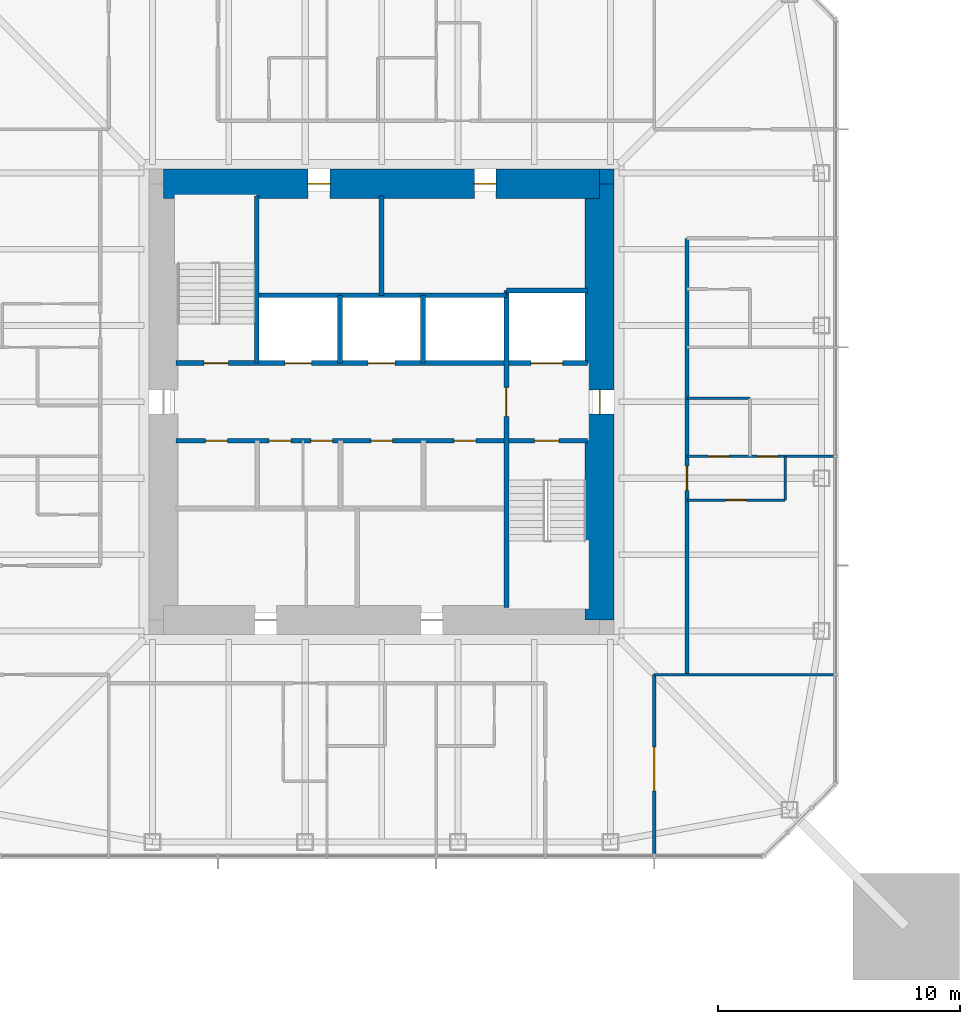
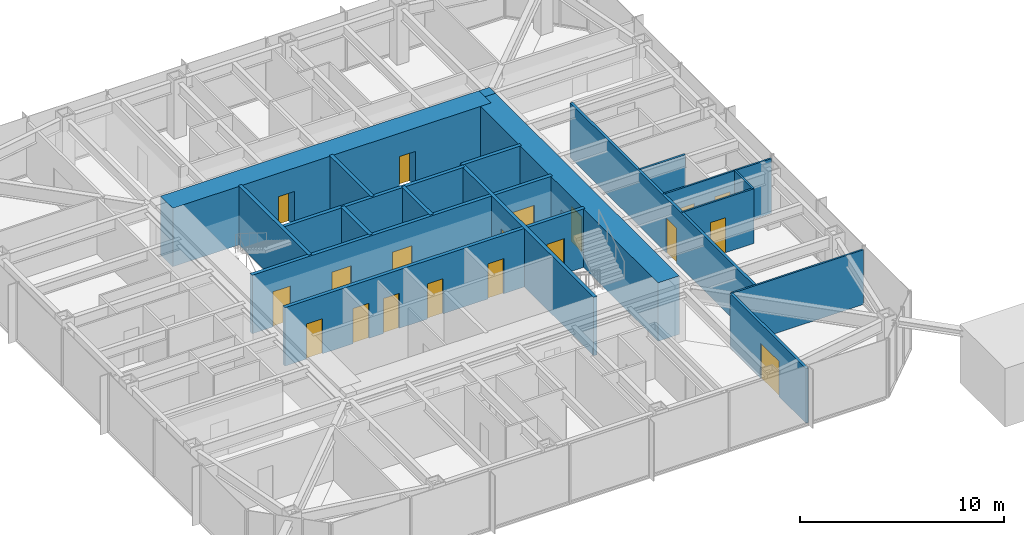
# One storey, part 7 of 11: 19 doors, 19 walls, 19 openings.
"""IFC4 building model written with IfcOpenShell, lengths in metres."""

import ifcopenshell
import ifcopenshell.guid

model = None  # the IFC model being written
_history = None  # IfcOwnerHistory: only IFC2X3 demands one
_inside = {}  # id of a spatial element -> (the spatial element, [elements in it])
_under = {}  # id of a project, library or spatial element -> (it, [spatial elements below it])
_declared = {}  # id of a project -> (the project, [libraries it declares])
_typed = {}  # id of a type object -> (the type object, [elements of that type])
_made_of = {}  # id of a material, layer set ... -> (it, [elements and type objects made of it])


def new_model(schema):
    """Start an empty IFC model of exactly this schema.

    Asked for "IFC4X3", IfcOpenShell would pick the latest addendum, in which some entities
    have other attributes; the version numbers below select the first issue.
    IFC2X3 requires an IfcOwnerHistory on every rooted entity: one is made here for all.
    """
    global model, _history
    if schema == "IFC4X3":
        model = ifcopenshell.file(schema_version=(4, 3, 0, 0))
    else:
        model = ifcopenshell.file(schema=schema)
    _inside.clear()
    _under.clear()
    _declared.clear()
    _typed.clear()
    _made_of.clear()
    _history = None
    if model.schema == "IFC2X3":
        org = make("IfcOrganization", Name="unknown")
        user = make(
            "IfcPersonAndOrganization",
            ThePerson=make("IfcPerson", FamilyName="unknown"),
            TheOrganization=org,
        )
        app = make(
            "IfcApplication",
            ApplicationDeveloper=org,
            Version="unknown",
            ApplicationFullName="unknown",
            ApplicationIdentifier="unknown",
        )
        _history = make(
            "IfcOwnerHistory",
            OwningUser=user,
            OwningApplication=app,
            ChangeAction="ADDED",
            CreationDate=0,
        )
    return model


def make(cls, **values):
    """One entity of the class cls with the attributes given. An attribute that is None is left unset."""
    return model.create_entity(
        cls, **{name: value for name, value in values.items() if value is not None}
    )


def rooted(cls, **values):
    """An entity with a GlobalId (a new one), such as an element, a storey or a relation."""
    return make(cls, GlobalId=ifcopenshell.guid.new(), OwnerHistory=_history, **values)


def si_unit(unit_type, name, prefix=None):
    """IfcSIUnit, for example si_unit("LENGTHUNIT", "METRE", prefix="MILLI")."""
    return make("IfcSIUnit", UnitType=unit_type, Prefix=prefix, Name=name)


def assignment(units):
    """IfcUnitAssignment: the units of a project."""
    return None if units is None else make("IfcUnitAssignment", Units=units)


def point(xyz):
    """IfcCartesianPoint."""
    return None if xyz is None else make("IfcCartesianPoint", Coordinates=xyz)


def direction(xyz):
    """IfcDirection."""
    return None if xyz is None else make("IfcDirection", DirectionRatios=xyz)


def frame(location, z_axis=None, x_axis=None):
    """IfcAxis2Placement3D, a coordinate frame: its origin and axes. An axis left out is left unset."""
    return make(
        "IfcAxis2Placement3D",
        Location=point(location),
        Axis=direction(z_axis),
        RefDirection=direction(x_axis),
    )


def frame_2d(location, x_axis=None):
    """IfcAxis2Placement2D, a coordinate frame in the plane: its origin and x axis."""
    return make(
        "IfcAxis2Placement2D", Location=point(location), RefDirection=direction(x_axis)
    )


def origin():
    """The frame at (0, 0, 0) with its axes left unset."""
    return frame((0.0, 0.0, 0.0))


def place(relative_to, where):
    """IfcLocalPlacement: puts the frame where relative to a parent placement (None: the world)."""
    return make(
        "IfcLocalPlacement", PlacementRelTo=relative_to, RelativePlacement=where
    )


def context(
    kind, dimensions, precision=None, world=None, true_north=None, identifier=None
):
    """IfcGeometricRepresentationContext, for example the 3D "Model" context."""
    return make(
        "IfcGeometricRepresentationContext",
        ContextIdentifier=identifier,
        ContextType=kind,
        CoordinateSpaceDimension=dimensions,
        Precision=precision,
        WorldCoordinateSystem=world,
        TrueNorth=true_north,
    )


def subcontext(parent, identifier, kind, view, scale=None):
    """IfcGeometricRepresentationSubContext, for example "Body" below "Model"."""
    return make(
        "IfcGeometricRepresentationSubContext",
        ContextIdentifier=identifier,
        ContextType=kind,
        ParentContext=parent,
        TargetScale=scale,
        TargetView=view,
    )


def project(units=None, contexts=None):
    """IfcProject with its units and contexts."""
    return rooted(
        "IfcProject",
        Name="project",
        RepresentationContexts=contexts,
        UnitsInContext=assignment(units),
    )


def spatial(cls, under=None, at=None, **own):
    """A site, building, storey or space (cls), placed at a placement, below another one or the project."""
    s = rooted(cls, ObjectPlacement=at, **own)
    if under is not None:
        _under.setdefault(under.id(), (under, []))[1].append(s)
    return s


def profile(cls, at=None, kind="AREA", **sizes):
    """A parametric profile (cls). Its sizes go by their IFC names, for example OverallWidth=200.0."""
    return make(cls, ProfileType=kind, Position=at, **sizes)


def rectangle(**sizes):
    """IfcRectangleProfileDef."""
    return profile("IfcRectangleProfileDef", **sizes)


def extrude(swept, where, along, depth):
    """IfcExtrudedAreaSolid: the profile swept, set in the frame where, extruded along a direction by depth."""
    return make(
        "IfcExtrudedAreaSolid",
        SweptArea=swept,
        Position=where,
        ExtrudedDirection=direction(along),
        Depth=depth,
    )


def shape(context_of_items, identifier, shape_type, items):
    """IfcShapeRepresentation: the items that make up one representation, for example the "Body"."""
    return make(
        "IfcShapeRepresentation",
        ContextOfItems=context_of_items,
        RepresentationIdentifier=identifier,
        RepresentationType=shape_type,
        Items=items,
    )


def material(Name=None, Category=None):
    """IfcMaterial."""
    return make("IfcMaterial", Name=Name, Category=Category)


def layer(
    of_material, thickness, ventilated=None, Name=None, Category=None, Priority=None
):
    """IfcMaterialLayer: one layer of a wall or slab, of a material (None: an air gap)."""
    return make(
        "IfcMaterialLayer",
        Material=of_material,
        LayerThickness=thickness,
        IsVentilated=ventilated,
        Name=Name,
        Category=Category,
        Priority=Priority,
    )


def layer_set(layers, Name=None):
    """IfcMaterialLayerSet."""
    return make("IfcMaterialLayerSet", MaterialLayers=layers, LayerSetName=Name)


def made_of(thing, what):
    """Note that an element or type object is made of a material, layer set ...; save() writes the relation."""
    if what is not None:
        _made_of.setdefault(what.id(), (what, []))[1].append(thing)
    return thing


def type_object(cls, material=None, **own):
    """A type object (cls), such as IfcWallType, which elements share."""
    return made_of(rooted(cls, **own), material)


def element(
    cls,
    number,
    at=None,
    inside=None,
    cuts=None,
    type_object=None,
    material=None,
    context=None,
    identifier="Body",
    shape_type=None,
    held_by="IfcProductDefinitionShape",
    body=None,
    shapes=None,
    **own,
):
    """One element of the class cls, such as IfcWall. Its Tag is "e" and its number.

    at: its placement. inside: the storey or other place that contains it. cuts: it is an
    opening in that element (IfcRelVoidsElement). A single representation is given by context,
    identifier, shape_type and body (its items); several are given by shapes. held_by: the class
    of the entity that holds the representations. save() writes the other relations.
    """
    e = rooted(cls, Tag="e%d" % number, ObjectPlacement=at, **own)
    if body is not None:
        shapes = [shape(context, identifier, shape_type, body)]
    if shapes is not None:
        e.Representation = make(held_by, Representations=shapes)
    if inside is not None:
        _inside.setdefault(inside.id(), (inside, []))[1].append(e)
    if cuts is not None:
        rooted(
            "IfcRelVoidsElement", RelatingBuildingElement=cuts, RelatedOpeningElement=e
        )
    if type_object is not None:
        _typed.setdefault(type_object.id(), (type_object, []))[1].append(e)
    return made_of(e, material)


def fill(opening, filler):
    """IfcRelFillsElement: the door or window that sits in an opening."""
    return rooted(
        "IfcRelFillsElement",
        RelatingOpeningElement=opening,
        RelatedBuildingElement=filler,
    )


def aggregate(whole, parts):
    """IfcRelAggregates: a whole, such as a stair, and the parts it consists of."""
    return rooted("IfcRelAggregates", RelatingObject=whole, RelatedObjects=parts)


def save(model, path):
    """Write the relations noted so far, then the file.

    IfcRelAggregates (storeys below a building ...), IfcRelContainedInSpatialStructure (elements
    in a storey), IfcRelDefinesByType, IfcRelAssociatesMaterial and IfcRelDeclares: one each for
    every whole, place, type object, material and project.
    """
    for whole, parts in _under.values():
        aggregate(whole, parts)
    for where, things in _inside.values():
        rooted(
            "IfcRelContainedInSpatialStructure",
            RelatedElements=things,
            RelatingStructure=where,
        )
    for kind, things in _typed.values():
        rooted("IfcRelDefinesByType", RelatedObjects=things, RelatingType=kind)
    for what, things in _made_of.values():
        rooted("IfcRelAssociatesMaterial", RelatedObjects=things, RelatingMaterial=what)
    for by, libraries in _declared.values():
        rooted("IfcRelDeclares", RelatingContext=by, RelatedDefinitions=libraries)
    model.write(path)


model = new_model("IFC4")

# Units and contexts
model_context = context("Model", 3, precision=1e-05, world=origin(), true_north=direction((0.0, 1.0)))
body_context = subcontext(model_context, "Body", "Model", "MODEL_VIEW")
ifc_project = project(units=[si_unit("LENGTHUNIT", "METRE"), si_unit("AREAUNIT", "SQUARE_METRE"), si_unit("VOLUMEUNIT", "CUBIC_METRE"), si_unit("PLANEANGLEUNIT", "RADIAN"), si_unit("MASSUNIT", "GRAM", prefix="KILO")], contexts=[model_context])

# Site, building, storey
site_placement = place(None, origin())
site = spatial("IfcSite", under=ifc_project, at=site_placement, CompositionType="ELEMENT")
building_placement = place(site_placement, origin())
building = spatial("IfcBuilding", under=site, at=building_placement, Name="Iwan Alto Co-Living Towers", CompositionType="ELEMENT")
storey_placement = place(building_placement, frame((0.0, 0.0, 163.5)))
storey = spatial("IfcBuildingStorey", under=building, at=storey_placement, Name="L44", CompositionType="ELEMENT", Elevation=163.5)

# Wall, opening, door
ifc_material_1 = material(Name="Gypsum board")
ifc_layer_1 = layer(ifc_material_1, 0.02490234375, Name="Board", Category="Finish")
ifc_material_2 = material(Name="Steel ASTM A1003 ST33H cold-formed studs", Category="steel")
ifc_layer_2 = layer(ifc_material_2, 0.10009765625, Name="Studs", Category="Framing")
ifc_layer_3 = layer(ifc_material_1, 0.02490234375, Name="Board", Category="Finish")
ifc_layer_set_1 = layer_set([ifc_layer_1, ifc_layer_2, ifc_layer_3], Name="CORRIDOR WALL 150")
wall_type_1 = type_object("IfcWallType", Name="CORRIDOR WALL 150", PredefinedType="PARTITIONING", material=ifc_layer_set_1)
wall_1_placement = place(storey_placement, frame((12.60009765625, -11.25, 0.0), z_axis=(0.0, 0.0, 1.0), x_axis=(0.0, 1.0, 0.0)))
wall_1 = element("IfcWall", 1, at=wall_1_placement, inside=storey, type_object=wall_type_1, Name="Partition L44", PredefinedType="PARTITIONING", context=body_context, shape_type="SweptSolid", body=[
    extrude(rectangle(XDim=18.0, YDim=0.14990234375, at=frame_2d((9.0, 0.0))), origin(), (0.0, 0.0, 1.0), 3.27001953125),
])
opening_1_placement = place(wall_1_placement, frame((7.60009765625, 0.0, 0.0)))
opening_1 = element("IfcOpeningElement", 2, at=opening_1_placement, cuts=wall_1, Name="Opening D3", PredefinedType="OPENING", context=body_context, shape_type="SweptSolid", body=[
    extrude(rectangle(XDim=1.0, YDim=2.10009765625, at=frame_2d((0.5, 1.050048828125))), frame((0.0, 0.0849609375, 0.0), z_axis=(0.0, -1.0, 0.0), x_axis=(1.0, 0.0, 0.0)), (0.0, 0.0, 1.0), 0.169921875),
])
ifc_material_3 = material(Name="Steel frame with timber leaf", Category="steel")
door_type_1 = type_object("IfcDoorType", Name="FLAT ENTRANCE DOOR FD30S 1000X2100", OperationType="SINGLE_SWING_LEFT", PredefinedType="DOOR", material=ifc_material_3)
door_1_placement = place(opening_1_placement, frame((1.0, 0.0, 0.0), z_axis=(0.0, 0.0, 1.0), x_axis=(-1.0, 0.0, 0.0)))
door_1 = element("IfcDoor", 3, at=door_1_placement, inside=storey, type_object=door_type_1, Name="Apartment foyer door L44", OperationType="SINGLE_SWING_RIGHT", OverallHeight=2.10009765625, OverallWidth=1.0, PredefinedType="DOOR", context=body_context, shape_type="SweptSolid", body=[
    extrude(rectangle(XDim=1.0, YDim=2.10009765625, at=frame_2d((0.5, 1.050048828125))), frame((0.0, 0.02490234375, 0.0), z_axis=(0.0, -1.0, 0.0), x_axis=(1.0, 0.0, 0.0)), (0.0, 0.0, 1.0), 0.050048828125),
])
fill(opening_1, door_1)

wall_2_placement = place(storey_placement, frame((11.25, -18.68994140625, 0.0), z_axis=(0.0, 0.0, 1.0), x_axis=(0.0, 1.0, 0.0)))
wall_2 = element("IfcWall", 4, at=wall_2_placement, inside=storey, type_object=wall_type_1, Name="Partition L44", PredefinedType="PARTITIONING", context=body_context, shape_type="SweptSolid", body=[
    extrude(rectangle(XDim=7.43994140625, YDim=0.14990234375, at=frame_2d((3.719970703125, 0.0))), origin(), (0.0, 0.0, 1.0), 3.27001953125),
])
opening_2_placement = place(wall_2_placement, frame((2.64501953125, 0.0, 0.0)))
opening_2 = element("IfcOpeningElement", 5, at=opening_2_placement, cuts=wall_2, Name="Opening D9", PredefinedType="OPENING", context=body_context, shape_type="SweptSolid", body=[
    extrude(rectangle(XDim=1.800048828125, YDim=2.10009765625, at=frame_2d((0.89990234375, 1.050048828125))), frame((0.0, 0.0849609375, 0.0), z_axis=(0.0, -1.0, 0.0), x_axis=(1.0, 0.0, 0.0)), (0.0, 0.0, 1.0), 0.169921875),
])
ifc_material_4 = material(Name="Steel frame with timber leaf", Category="steel")
door_type_2 = type_object("IfcDoorType", Name="LOUNGE DOOR FD30S 1800X2100", OperationType="DOUBLE_DOOR_SINGLE_SWING", PredefinedType="DOOR", material=ifc_material_4)
door_2_placement = place(opening_2_placement, frame((1.800048828125, 0.0, 0.0), z_axis=(0.0, 0.0, 1.0), x_axis=(-1.0, 0.0, 0.0)))
door_2 = element("IfcDoor", 6, at=door_2_placement, inside=storey, type_object=door_type_2, Name="Courtyard lounge door L44", OperationType="DOUBLE_DOOR_SINGLE_SWING", OverallHeight=2.10009765625, OverallWidth=1.800048828125, PredefinedType="DOOR", context=body_context, shape_type="SweptSolid", body=[
    extrude(rectangle(XDim=1.800048828125, YDim=2.10009765625, at=frame_2d((0.89990234375, 1.050048828125))), frame((0.0, 0.02490234375, 0.0), z_axis=(0.0, -1.0, 0.0), x_axis=(1.0, 0.0, 0.0)), (0.0, 0.0, 1.0), 0.050048828125),
])
fill(opening_2, door_2)

# Wall
ifc_layer_4 = layer(ifc_material_1, 0.012451171875, Name="Board", Category="Finish")
ifc_layer_5 = layer(ifc_material_2, 0.074951171875, Name="Studs", Category="Framing")
ifc_layer_6 = layer(ifc_material_1, 0.012451171875, Name="Board", Category="Finish")
ifc_layer_set_2 = layer_set([ifc_layer_4, ifc_layer_5, ifc_layer_6], Name="PARTITION 100")
wall_type_2 = type_object("IfcWallType", Name="PARTITION 100", PredefinedType="PARTITIONING", material=ifc_layer_set_2)
wall_3_placement = place(storey_placement, frame((11.25, -11.25, 0.0), z_axis=(0.0, 0.0, 1.0), x_axis=(1.0, 0.0, 0.0)))
element("IfcWall", 7, at=wall_3_placement, inside=storey, type_object=wall_type_2, Name="Partition L44", PredefinedType="PARTITIONING", context=body_context, shape_type="SweptSolid", body=[
    extrude(rectangle(XDim=7.43994140625, YDim=0.10009765625, at=frame_2d((3.719970703125, 0.0))), origin(), (0.0, 0.0, 1.0), 3.27001953125),
])

# Wall, opening, door
wall_4_placement = place(storey_placement, frame((12.60009765625, -4.050048828125, 0.0), z_axis=(0.0, 0.0, 1.0), x_axis=(1.0, 0.0, 0.0)))
wall_4 = element("IfcWall", 8, at=wall_4_placement, inside=storey, type_object=wall_type_2, Name="Partition L44", PredefinedType="PARTITIONING", context=body_context, shape_type="SweptSolid", body=[
    extrude(rectangle(XDim=4.0498046875, YDim=0.10009765625, at=frame_2d((2.02490234375, 0.0))), origin(), (0.0, 0.0, 1.0), 3.27001953125),
])
opening_3_placement = place(wall_4_placement, frame((1.60009765625, 0.0, 0.0)))
opening_3 = element("IfcOpeningElement", 9, at=opening_3_placement, cuts=wall_4, Name="Opening D2", PredefinedType="OPENING", context=body_context, shape_type="SweptSolid", body=[
    extrude(rectangle(XDim=0.85009765625, YDim=2.10009765625, at=frame_2d((0.425048828125, 1.050048828125))), frame((0.0, 0.06005859375, 0.0), z_axis=(0.0, -1.0, 0.0), x_axis=(1.0, 0.0, 0.0)), (0.0, 0.0, 1.0), 0.1201171875),
])
ifc_material_5 = material(Name="Timber leaf in steel frame", Category="steel")
door_type_3 = type_object("IfcDoorType", Name="ROOM DOOR 850X2100", OperationType="SINGLE_SWING_LEFT", PredefinedType="DOOR", material=ifc_material_5)
door_3_placement = place(opening_3_placement, frame((0.85009765625, 0.0, 0.0), z_axis=(0.0, 0.0, 1.0), x_axis=(-1.0, 0.0, 0.0)))
door_3 = element("IfcDoor", 10, at=door_3_placement, inside=storey, type_object=door_type_3, Name="Apartment foyer door L44", OperationType="SINGLE_SWING_RIGHT", OverallHeight=2.10009765625, OverallWidth=0.85009765625, PredefinedType="DOOR", context=body_context, shape_type="SweptSolid", body=[
    extrude(rectangle(XDim=0.85009765625, YDim=2.10009765625, at=frame_2d((0.425048828125, 1.050048828125))), frame((0.0, 0.02490234375, 0.0), z_axis=(0.0, -1.0, 0.0), x_axis=(1.0, 0.0, 0.0)), (0.0, 0.0, 1.0), 0.050048828125),
])
fill(opening_3, door_3)

# Wall, openings, doors
wall_5_placement = place(storey_placement, frame((12.60009765625, -2.25, 0.0), z_axis=(0.0, 0.0, 1.0), x_axis=(1.0, 0.0, 0.0)))
wall_5 = element("IfcWall", 11, at=wall_5_placement, inside=storey, type_object=wall_type_2, Name="Partition L44", PredefinedType="PARTITIONING", context=body_context, shape_type="SweptSolid", body=[
    extrude(rectangle(XDim=6.08984375, YDim=0.10009765625, at=frame_2d((3.044921875, 0.0))), origin(), (0.0, 0.0, 1.0), 3.27001953125),
])
opening_4_placement = place(wall_5_placement, frame((2.89990234375, 0.0, 0.0)))
opening_4 = element("IfcOpeningElement", 12, at=opening_4_placement, cuts=wall_5, Name="Opening D2", PredefinedType="OPENING", context=body_context, shape_type="SweptSolid", body=[
    extrude(rectangle(XDim=0.85009765625, YDim=2.10009765625, at=frame_2d((0.425048828125, 1.050048828125))), frame((0.0, 0.06005859375, 0.0), z_axis=(0.0, -1.0, 0.0), x_axis=(1.0, 0.0, 0.0)), (0.0, 0.0, 1.0), 0.1201171875),
])
opening_5_placement = place(wall_5_placement, frame((0.875, 0.0, 0.0)))
opening_5 = element("IfcOpeningElement", 13, at=opening_5_placement, cuts=wall_5, Name="Opening D2", PredefinedType="OPENING", context=body_context, shape_type="SweptSolid", body=[
    extrude(rectangle(XDim=0.85009765625, YDim=2.10009765625, at=frame_2d((0.425048828125, 1.050048828125))), frame((0.0, 0.06005859375, 0.0), z_axis=(0.0, -1.0, 0.0), x_axis=(1.0, 0.0, 0.0)), (0.0, 0.0, 1.0), 0.1201171875),
])
door_4_placement = place(opening_4_placement, origin())
door_4 = element("IfcDoor", 14, at=door_4_placement, inside=storey, type_object=door_type_3, Name="Bedroom door L44", OperationType="SINGLE_SWING_LEFT", OverallHeight=2.10009765625, OverallWidth=0.85009765625, PredefinedType="DOOR", context=body_context, shape_type="SweptSolid", body=[
    extrude(rectangle(XDim=0.85009765625, YDim=2.10009765625, at=frame_2d((0.425048828125, 1.050048828125))), frame((0.0, 0.02490234375, 0.0), z_axis=(0.0, -1.0, 0.0), x_axis=(1.0, 0.0, 0.0)), (0.0, 0.0, 1.0), 0.050048828125),
])
fill(opening_4, door_4)
door_5_placement = place(opening_5_placement, origin())
door_5 = element("IfcDoor", 15, at=door_5_placement, inside=storey, type_object=door_type_3, Name="Bathroom door L44", OperationType="SINGLE_SWING_LEFT", OverallHeight=2.10009765625, OverallWidth=0.85009765625, PredefinedType="DOOR", context=body_context, shape_type="SweptSolid", body=[
    extrude(rectangle(XDim=0.85009765625, YDim=2.10009765625, at=frame_2d((0.425048828125, 1.050048828125))), frame((0.0, 0.02490234375, 0.0), z_axis=(0.0, -1.0, 0.0), x_axis=(1.0, 0.0, 0.0)), (0.0, 0.0, 1.0), 0.050048828125),
])
fill(opening_5, door_5)

# Wall
wall_6_placement = place(storey_placement, frame((16.64990234375, -4.050048828125, 0.0), z_axis=(0.0, 0.0, 1.0), x_axis=(0.0, 1.0, 0.0)))
element("IfcWall", 16, at=wall_6_placement, inside=storey, type_object=wall_type_2, Name="Partition L44", PredefinedType="PARTITIONING", context=body_context, shape_type="SweptSolid", body=[
    extrude(rectangle(XDim=1.800048828125, YDim=0.10009765625, at=frame_2d((0.89990234375, 0.0))), origin(), (0.0, 0.0, 1.0), 3.27001953125),
])

# Wall, openings, doors
ifc_material_6 = material(Name="Concrete f'c 70 MPa", Category="concrete")
ifc_layer_7 = layer(ifc_material_6, 0.199951171875)
ifc_layer_set_3 = layer_set([ifc_layer_7], Name="SHAFT WALL 200")
wall_type_3 = type_object("IfcWallType", Name="SHAFT WALL 200", PredefinedType="SOLIDWALL", material=ifc_layer_set_3)
wall_7_placement = place(storey_placement, frame((-8.489990234375, -1.60009765625, 0.0), z_axis=(0.0, 0.0, 1.0), x_axis=(1.0, 0.0, 0.0)))
wall_7 = element("IfcWall", 17, at=wall_7_placement, inside=storey, type_object=wall_type_3, Name="Shaft wall L44", PredefinedType="SOLIDWALL", context=body_context, shape_type="SweptSolid", body=[
    extrude(rectangle(XDim=16.97998046875, YDim=0.199951171875, at=frame_2d((8.489990234375, 0.0))), origin(), (0.0, 0.0, 1.0), 3.5),
])
opening_6_placement = place(wall_7_placement, frame((14.81005859375, 0.0, 0.0)))
opening_6 = element("IfcOpeningElement", 18, at=opening_6_placement, cuts=wall_7, Name="Opening D5", PredefinedType="OPENING", context=body_context, shape_type="SweptSolid", body=[
    extrude(rectangle(XDim=1.0, YDim=2.10009765625, at=frame_2d((0.5, 1.050048828125))), frame((0.0, 0.10986328125, 0.0), z_axis=(0.0, -1.0, 0.0), x_axis=(1.0, 0.0, 0.0)), (0.0, 0.0, 1.0), 0.219970703125),
])
opening_7_placement = place(wall_7_placement, frame((1.23193359375, 0.0, 0.0)))
opening_7 = element("IfcOpeningElement", 19, at=opening_7_placement, cuts=wall_7, Name="Opening D15", PredefinedType="OPENING", context=body_context, shape_type="SweptSolid", body=[
    extrude(rectangle(XDim=0.89990234375, YDim=2.10009765625, at=frame_2d((0.449951171875, 1.050048828125))), frame((0.0, 0.10986328125, 0.0), z_axis=(0.0, -1.0, 0.0), x_axis=(1.0, 0.0, 0.0)), (0.0, 0.0, 1.0), 0.219970703125),
])
opening_8_placement = place(wall_7_placement, frame((5.570068359375, 0.0, 0.0)))
opening_8 = element("IfcOpeningElement", 20, at=opening_8_placement, cuts=wall_7, Name="Opening D15", PredefinedType="OPENING", context=body_context, shape_type="SweptSolid", body=[
    extrude(rectangle(XDim=0.89990234375, YDim=2.10009765625, at=frame_2d((0.449951171875, 1.050048828125))), frame((0.0, 0.10986328125, 0.0), z_axis=(0.0, -1.0, 0.0), x_axis=(1.0, 0.0, 0.0)), (0.0, 0.0, 1.0), 0.219970703125),
])
opening_9_placement = place(wall_7_placement, frame((3.85693359375, 0.0, 0.0)))
opening_9 = element("IfcOpeningElement", 21, at=opening_9_placement, cuts=wall_7, Name="Opening D15", PredefinedType="OPENING", context=body_context, shape_type="SweptSolid", body=[
    extrude(rectangle(XDim=0.89990234375, YDim=2.10009765625, at=frame_2d((0.449951171875, 1.050048828125))), frame((0.0, 0.10986328125, 0.0), z_axis=(0.0, -1.0, 0.0), x_axis=(1.0, 0.0, 0.0)), (0.0, 0.0, 1.0), 0.219970703125),
])
opening_10_placement = place(wall_7_placement, frame((8.052001953125, 0.0, 0.0)))
opening_10 = element("IfcOpeningElement", 22, at=opening_10_placement, cuts=wall_7, Name="Opening D15", PredefinedType="OPENING", context=body_context, shape_type="SweptSolid", body=[
    extrude(rectangle(XDim=0.89990234375, YDim=2.10009765625, at=frame_2d((0.449951171875, 1.050048828125))), frame((0.0, 0.10986328125, 0.0), z_axis=(0.0, -1.0, 0.0), x_axis=(1.0, 0.0, 0.0)), (0.0, 0.0, 1.0), 0.219970703125),
])
opening_11_placement = place(wall_7_placement, frame((11.47802734375, 0.0, 0.0)))
opening_11 = element("IfcOpeningElement", 23, at=opening_11_placement, cuts=wall_7, Name="Opening D15", PredefinedType="OPENING", context=body_context, shape_type="SweptSolid", body=[
    extrude(rectangle(XDim=0.89990234375, YDim=2.10009765625, at=frame_2d((0.449951171875, 1.050048828125))), frame((0.0, 0.10986328125, 0.0), z_axis=(0.0, -1.0, 0.0), x_axis=(1.0, 0.0, 0.0)), (0.0, 0.0, 1.0), 0.219970703125),
])
ifc_material_7 = material(Name="Steel frame with timber leaf", Category="steel")
door_type_4 = type_object("IfcDoorType", Name="CORE ROOM DOOR FD60S 900X2100", OperationType="SINGLE_SWING_LEFT", PredefinedType="DOOR", material=ifc_material_7)
door_6_placement = place(opening_7_placement, frame((0.89990234375, 0.0, 0.0), z_axis=(0.0, 0.0, 1.0), x_axis=(-1.0, 0.0, 0.0)))
door_6 = element("IfcDoor", 24, at=door_6_placement, inside=storey, type_object=door_type_4, Name="Comms room door L44", OperationType="SINGLE_SWING_LEFT", OverallHeight=2.10009765625, OverallWidth=0.89990234375, PredefinedType="DOOR", context=body_context, shape_type="SweptSolid", body=[
    extrude(rectangle(XDim=0.89990234375, YDim=2.10009765625, at=frame_2d((0.449951171875, 1.050048828125))), frame((0.0, 0.02490234375, 0.0), z_axis=(0.0, -1.0, 0.0), x_axis=(1.0, 0.0, 0.0)), (0.0, 0.0, 1.0), 0.050048828125),
])
fill(opening_7, door_6)
door_7_placement = place(opening_8_placement, frame((0.89990234375, 0.0, 0.0), z_axis=(0.0, 0.0, 1.0), x_axis=(-1.0, 0.0, 0.0)))
door_7 = element("IfcDoor", 25, at=door_7_placement, inside=storey, type_object=door_type_4, Name="Linen store door L44", OperationType="SINGLE_SWING_RIGHT", OverallHeight=2.10009765625, OverallWidth=0.89990234375, PredefinedType="DOOR", context=body_context, shape_type="SweptSolid", body=[
    extrude(rectangle(XDim=0.89990234375, YDim=2.10009765625, at=frame_2d((0.449951171875, 1.050048828125))), frame((0.0, 0.02490234375, 0.0), z_axis=(0.0, -1.0, 0.0), x_axis=(1.0, 0.0, 0.0)), (0.0, 0.0, 1.0), 0.050048828125),
])
fill(opening_8, door_7)
door_8_placement = place(opening_9_placement, frame((0.89990234375, 0.0, 0.0), z_axis=(0.0, 0.0, 1.0), x_axis=(-1.0, 0.0, 0.0)))
door_8 = element("IfcDoor", 26, at=door_8_placement, inside=storey, type_object=door_type_4, Name="Staff WC door L44", OperationType="SINGLE_SWING_RIGHT", OverallHeight=2.10009765625, OverallWidth=0.89990234375, PredefinedType="DOOR", context=body_context, shape_type="SweptSolid", body=[
    extrude(rectangle(XDim=0.89990234375, YDim=2.10009765625, at=frame_2d((0.449951171875, 1.050048828125))), frame((0.0, 0.02490234375, 0.0), z_axis=(0.0, -1.0, 0.0), x_axis=(1.0, 0.0, 0.0)), (0.0, 0.0, 1.0), 0.050048828125),
])
fill(opening_9, door_8)
door_9_placement = place(opening_10_placement, frame((0.89990234375, 0.0, 0.0), z_axis=(0.0, 0.0, 1.0), x_axis=(-1.0, 0.0, 0.0)))
door_9 = element("IfcDoor", 27, at=door_9_placement, inside=storey, type_object=door_type_4, Name="Comms room door L44", OperationType="SINGLE_SWING_RIGHT", OverallHeight=2.10009765625, OverallWidth=0.89990234375, PredefinedType="DOOR", context=body_context, shape_type="SweptSolid", body=[
    extrude(rectangle(XDim=0.89990234375, YDim=2.10009765625, at=frame_2d((0.449951171875, 1.050048828125))), frame((0.0, 0.02490234375, 0.0), z_axis=(0.0, -1.0, 0.0), x_axis=(1.0, 0.0, 0.0)), (0.0, 0.0, 1.0), 0.050048828125),
])
fill(opening_10, door_9)
door_10_placement = place(opening_11_placement, frame((0.89990234375, 0.0, 0.0), z_axis=(0.0, 0.0, 1.0), x_axis=(-1.0, 0.0, 0.0)))
door_10 = element("IfcDoor", 28, at=door_10_placement, inside=storey, type_object=door_type_4, Name="Vending and ice room door L44", OperationType="SINGLE_SWING_RIGHT", OverallHeight=2.10009765625, OverallWidth=0.89990234375, PredefinedType="DOOR", context=body_context, shape_type="SweptSolid", body=[
    extrude(rectangle(XDim=0.89990234375, YDim=2.10009765625, at=frame_2d((0.449951171875, 1.050048828125))), frame((0.0, 0.02490234375, 0.0), z_axis=(0.0, -1.0, 0.0), x_axis=(1.0, 0.0, 0.0)), (0.0, 0.0, 1.0), 0.050048828125),
])
fill(opening_11, door_10)
ifc_material_8 = material(Name="Steel frame with timber leaf", Category="steel")
door_type_5 = type_object("IfcDoorType", Name="STAIR DOOR FD120S 1000X2100", OperationType="SINGLE_SWING_LEFT", PredefinedType="DOOR", material=ifc_material_8)
door_11_placement = place(opening_6_placement, frame((1.0, 0.0, 0.0), z_axis=(0.0, 0.0, 1.0), x_axis=(-1.0, 0.0, 0.0)))
door_11 = element("IfcDoor", 29, at=door_11_placement, inside=storey, type_object=door_type_5, Name="Stair S2 door L44", OperationType="SINGLE_SWING_RIGHT", OverallHeight=2.10009765625, OverallWidth=1.0, PredefinedType="DOOR", context=body_context, shape_type="SweptSolid", body=[
    extrude(rectangle(XDim=1.0, YDim=2.10009765625, at=frame_2d((0.5, 1.050048828125))), frame((0.0, 0.02490234375, 0.0), z_axis=(0.0, -1.0, 0.0), x_axis=(1.0, 0.0, 0.0)), (0.0, 0.0, 1.0), 0.050048828125),
])
fill(opening_6, door_11)

wall_8_placement = place(storey_placement, frame((-8.489990234375, 1.60009765625, 0.0), z_axis=(0.0, 0.0, 1.0), x_axis=(1.0, 0.0, 0.0)))
wall_8 = element("IfcWall", 30, at=wall_8_placement, inside=storey, type_object=wall_type_3, Name="Shaft wall L44", PredefinedType="SOLIDWALL", context=body_context, shape_type="SweptSolid", body=[
    extrude(rectangle(XDim=16.97998046875, YDim=0.199951171875, at=frame_2d((8.489990234375, 0.0))), origin(), (0.0, 0.0, 1.0), 3.5),
])
opening_12_placement = place(wall_8_placement, frame((1.169921875, 0.0, 0.0)))
opening_12 = element("IfcOpeningElement", 31, at=opening_12_placement, cuts=wall_8, Name="Opening D5", PredefinedType="OPENING", context=body_context, shape_type="SweptSolid", body=[
    extrude(rectangle(XDim=1.0, YDim=2.10009765625, at=frame_2d((0.5, 1.050048828125))), frame((0.0, 0.10986328125, 0.0), z_axis=(0.0, -1.0, 0.0), x_axis=(1.0, 0.0, 0.0)), (0.0, 0.0, 1.0), 0.219970703125),
])
opening_13_placement = place(wall_8_placement, frame((4.506103515625, 0.0, 0.0)))
opening_13 = element("IfcOpeningElement", 32, at=opening_13_placement, cuts=wall_8, Name="Opening LD", PredefinedType="OPENING", context=body_context, shape_type="SweptSolid", body=[
    extrude(rectangle(XDim=1.10009765625, YDim=2.10009765625, at=frame_2d((0.550048828125, 1.050048828125))), frame((0.0, 0.10986328125, 0.0), z_axis=(0.0, -1.0, 0.0), x_axis=(1.0, 0.0, 0.0)), (0.0, 0.0, 1.0), 0.219970703125),
])
opening_14_placement = place(wall_8_placement, frame((7.93994140625, 0.0, 0.0)))
opening_14 = element("IfcOpeningElement", 33, at=opening_14_placement, cuts=wall_8, Name="Opening LD", PredefinedType="OPENING", context=body_context, shape_type="SweptSolid", body=[
    extrude(rectangle(XDim=1.10009765625, YDim=2.10009765625, at=frame_2d((0.550048828125, 1.050048828125))), frame((0.0, 0.10986328125, 0.0), z_axis=(0.0, -1.0, 0.0), x_axis=(1.0, 0.0, 0.0)), (0.0, 0.0, 1.0), 0.219970703125),
])
opening_15_placement = place(wall_8_placement, frame((14.659912109375, 0.0, 0.0)))
opening_15 = element("IfcOpeningElement", 34, at=opening_15_placement, cuts=wall_8, Name="Opening LD2", PredefinedType="OPENING", context=body_context, shape_type="SweptSolid", body=[
    extrude(rectangle(XDim=1.300048828125, YDim=2.10009765625, at=frame_2d((0.64990234375, 1.050048828125))), frame((0.0, 0.10986328125, 0.0), z_axis=(0.0, -1.0, 0.0), x_axis=(1.0, 0.0, 0.0)), (0.0, 0.0, 1.0), 0.219970703125),
])
ifc_material_9 = material(Name="Steel frame with timber leaf", Category="steel")
door_type_6 = type_object("IfcDoorType", Name="LIFT LANDING DOOR 1100X2100", OperationType="DOUBLE_DOOR_SLIDING", PredefinedType="DOOR", material=ifc_material_9)
door_12_placement = place(opening_13_placement, origin())
door_12 = element("IfcDoor", 35, at=door_12_placement, inside=storey, type_object=door_type_6, Name="Lift P3-1 landing door L44", OperationType="DOUBLE_DOOR_SLIDING", OverallHeight=2.10009765625, OverallWidth=1.10009765625, PredefinedType="DOOR", context=body_context, shape_type="SweptSolid", body=[
    extrude(rectangle(XDim=1.10009765625, YDim=2.10009765625, at=frame_2d((0.550048828125, 1.050048828125))), frame((0.0, 0.02490234375, 0.0), z_axis=(0.0, -1.0, 0.0), x_axis=(1.0, 0.0, 0.0)), (0.0, 0.0, 1.0), 0.050048828125),
])
fill(opening_13, door_12)
door_13_placement = place(opening_14_placement, origin())
door_13 = element("IfcDoor", 36, at=door_13_placement, inside=storey, type_object=door_type_6, Name="Lift P3-2 landing door L44", OperationType="DOUBLE_DOOR_SLIDING", OverallHeight=2.10009765625, OverallWidth=1.10009765625, PredefinedType="DOOR", context=body_context, shape_type="SweptSolid", body=[
    extrude(rectangle(XDim=1.10009765625, YDim=2.10009765625, at=frame_2d((0.550048828125, 1.050048828125))), frame((0.0, 0.02490234375, 0.0), z_axis=(0.0, -1.0, 0.0), x_axis=(1.0, 0.0, 0.0)), (0.0, 0.0, 1.0), 0.050048828125),
])
fill(opening_14, door_13)
ifc_material_10 = material(Name="Steel frame with timber leaf", Category="steel")
door_type_7 = type_object("IfcDoorType", Name="LIFT LANDING DOOR 1300X2100", OperationType="SLIDING_TO_LEFT", PredefinedType="DOOR", material=ifc_material_10)
door_14_placement = place(opening_15_placement, origin())
door_14 = element("IfcDoor", 37, at=door_14_placement, inside=storey, type_object=door_type_7, Name="Lift FL1 landing door L44", OperationType="SLIDING_TO_LEFT", OverallHeight=2.10009765625, OverallWidth=1.300048828125, PredefinedType="DOOR", context=body_context, shape_type="SweptSolid", body=[
    extrude(rectangle(XDim=1.300048828125, YDim=2.10009765625, at=frame_2d((0.64990234375, 1.050048828125))), frame((0.0, 0.02490234375, 0.0), z_axis=(0.0, -1.0, 0.0), x_axis=(1.0, 0.0, 0.0)), (0.0, 0.0, 1.0), 0.050048828125),
])
fill(opening_15, door_14)
door_15_placement = place(opening_12_placement, origin())
door_15 = element("IfcDoor", 38, at=door_15_placement, inside=storey, type_object=door_type_5, Name="Stair S1 door L44", OperationType="SINGLE_SWING_RIGHT", OverallHeight=2.10009765625, OverallWidth=1.0, PredefinedType="DOOR", context=body_context, shape_type="SweptSolid", body=[
    extrude(rectangle(XDim=1.0, YDim=2.10009765625, at=frame_2d((0.5, 1.050048828125))), frame((0.0, 0.02490234375, 0.0), z_axis=(0.0, -1.0, 0.0), x_axis=(1.0, 0.0, 0.0)), (0.0, 0.0, 1.0), 0.050048828125),
])
fill(opening_12, door_15)

# Walls
wall_9_placement = place(storey_placement, frame((-5.14990234375, 4.39990234375, 0.0), z_axis=(0.0, 0.0, 1.0), x_axis=(1.0, 0.0, 0.0)))
element("IfcWall", 39, at=wall_9_placement, inside=storey, type_object=wall_type_3, Name="Shaft wall L44", PredefinedType="SOLIDWALL", context=body_context, shape_type="SweptSolid", body=[
    extrude(rectangle(XDim=10.2998046875, YDim=0.199951171875, at=frame_2d((5.14990234375, 0.0))), origin(), (0.0, 0.0, 1.0), 3.5),
])
wall_10_placement = place(storey_placement, frame((5.14990234375, 4.60009765625, 0.0), z_axis=(0.0, 0.0, 1.0), x_axis=(1.0, 0.0, 0.0)))
element("IfcWall", 40, at=wall_10_placement, inside=storey, type_object=wall_type_3, Name="Shaft wall L44", PredefinedType="SOLIDWALL", context=body_context, shape_type="SweptSolid", body=[
    extrude(rectangle(XDim=3.340087890625, YDim=0.199951171875, at=frame_2d((1.669921875, 0.0))), origin(), (0.0, 0.0, 1.0), 3.5),
])

# Wall, opening, door
wall_11_placement = place(storey_placement, frame((5.14990234375, -8.489990234375, 0.0), z_axis=(0.0, 0.0, 1.0), x_axis=(0.0, 1.0, 0.0)))
wall_11 = element("IfcWall", 41, at=wall_11_placement, inside=storey, type_object=wall_type_3, Name="Shaft wall L44", PredefinedType="SOLIDWALL", context=body_context, shape_type="SweptSolid", body=[
    extrude(rectangle(XDim=13.090087890625, YDim=0.199951171875, at=frame_2d((6.544921875, 0.0))), origin(), (0.0, 0.0, 1.0), 3.5),
])
opening_16_placement = place(wall_11_placement, frame((7.889892578125, 0.0, 0.0)))
opening_16 = element("IfcOpeningElement", 42, at=opening_16_placement, cuts=wall_11, Name="Opening D6", PredefinedType="OPENING", context=body_context, shape_type="SweptSolid", body=[
    extrude(rectangle(XDim=1.199951171875, YDim=2.10009765625, at=frame_2d((0.60009765625, 1.050048828125))), frame((0.0, 0.10986328125, 0.0), z_axis=(0.0, -1.0, 0.0), x_axis=(1.0, 0.0, 0.0)), (0.0, 0.0, 1.0), 0.219970703125),
])
ifc_material_11 = material(Name="Steel frame with timber leaf", Category="steel")
door_type_8 = type_object("IfcDoorType", Name="LOBBY DOOR FD120S 1200X2100", OperationType="SINGLE_SWING_LEFT", PredefinedType="DOOR", material=ifc_material_11)
door_16_placement = place(opening_16_placement, frame((1.199951171875, 0.0, 0.0), z_axis=(0.0, 0.0, 1.0), x_axis=(-1.0, 0.0, 0.0)))
door_16 = element("IfcDoor", 43, at=door_16_placement, inside=storey, type_object=door_type_8, Name="Firefighting lobby door L44", OperationType="SINGLE_SWING_RIGHT", OverallHeight=2.10009765625, OverallWidth=1.199951171875, PredefinedType="DOOR", context=body_context, shape_type="SweptSolid", body=[
    extrude(rectangle(XDim=1.199951171875, YDim=2.10009765625, at=frame_2d((0.60009765625, 1.050048828125))), frame((0.0, 0.02490234375, 0.0), z_axis=(0.0, -1.0, 0.0), x_axis=(1.0, 0.0, 0.0)), (0.0, 0.0, 1.0), 0.050048828125),
])
fill(opening_16, door_16)

# Walls
wall_12_placement = place(storey_placement, frame((1.717041015625, 1.60009765625, 0.0), z_axis=(0.0, 0.0, 1.0), x_axis=(0.0, 1.0, 0.0)))
element("IfcWall", 44, at=wall_12_placement, inside=storey, type_object=wall_type_3, Name="Shaft wall L44", PredefinedType="SOLIDWALL", context=body_context, shape_type="SweptSolid", body=[
    extrude(rectangle(XDim=2.7998046875, YDim=0.199951171875, at=frame_2d((1.39990234375, 0.0))), origin(), (0.0, 0.0, 1.0), 3.5),
])
wall_13_placement = place(storey_placement, frame((0.0, 4.39990234375, 0.0), z_axis=(0.0, 0.0, 1.0), x_axis=(0.0, 1.0, 0.0)))
element("IfcWall", 45, at=wall_13_placement, inside=storey, type_object=wall_type_3, Name="Shaft wall L44", PredefinedType="SOLIDWALL", context=body_context, shape_type="SweptSolid", body=[
    extrude(rectangle(XDim=4.090087890625, YDim=0.199951171875, at=frame_2d((2.044921875, 0.0))), origin(), (0.0, 0.0, 1.0), 3.5),
])
wall_14_placement = place(storey_placement, frame((-1.717041015625, 1.60009765625, 0.0), z_axis=(0.0, 0.0, 1.0), x_axis=(0.0, 1.0, 0.0)))
element("IfcWall", 46, at=wall_14_placement, inside=storey, type_object=wall_type_3, Name="Shaft wall L44", PredefinedType="SOLIDWALL", context=body_context, shape_type="SweptSolid", body=[
    extrude(rectangle(XDim=2.7998046875, YDim=0.199951171875, at=frame_2d((1.39990234375, 0.0))), origin(), (0.0, 0.0, 1.0), 3.5),
])
wall_15_placement = place(storey_placement, frame((-5.14990234375, 1.60009765625, 0.0), z_axis=(0.0, 0.0, 1.0), x_axis=(0.0, 1.0, 0.0)))
element("IfcWall", 47, at=wall_15_placement, inside=storey, type_object=wall_type_3, Name="Shaft wall L44", PredefinedType="SOLIDWALL", context=body_context, shape_type="SweptSolid", body=[
    extrude(rectangle(XDim=6.889892578125, YDim=0.199951171875, at=frame_2d((3.44482421875, 0.0))), origin(), (0.0, 0.0, 1.0), 3.5),
])
ifc_material_12 = material(Name="Concrete f'c 70 MPa", Category="concrete")
ifc_layer_8 = layer(ifc_material_12, 0.60009765625)
ifc_layer_set_4 = layer_set([ifc_layer_8], Name="T1 CORE CORNER FILL 600")
wall_type_4 = type_object("IfcWallType", Name="T1 CORE CORNER FILL 600", PredefinedType="SOLIDWALL", material=ifc_layer_set_4)
wall_16_placement = place(storey_placement, frame((9.0, 9.300048828125, 0.0), z_axis=(0.0, 0.0, 1.0), x_axis=(1.0, 0.0, 0.0)))
element("IfcWall", 48, at=wall_16_placement, inside=storey, type_object=wall_type_4, Name="T1 core corner NE L44", PredefinedType="SOLIDWALL", context=body_context, shape_type="SweptSolid", body=[
    extrude(rectangle(XDim=0.60009765625, YDim=0.60009765625, at=frame_2d((0.300048828125, 0.0))), origin(), (0.0, 0.0, 1.0), 3.5),
])

# Wall, openings, doors
ifc_material_13 = material(Name="Concrete f'c 70 MPa", Category="concrete")
ifc_layer_9 = layer(ifc_material_13, 1.199951171875)
ifc_layer_set_5 = layer_set([ifc_layer_9], Name="T1 CORE WALL 1200")
wall_type_5 = type_object("IfcWallType", Name="T1 CORE WALL 1200", PredefinedType="SHEAR", material=ifc_layer_set_5)
wall_17_placement = place(storey_placement, frame((9.0, 9.0, 0.0), z_axis=(0.0, 0.0, 1.0), x_axis=(-1.0, 0.0, 0.0)))
wall_17 = element("IfcWall", 49, at=wall_17_placement, inside=storey, type_object=wall_type_5, Name="T1 core wall N L44", PredefinedType="SHEAR", context=body_context, shape_type="SweptSolid", body=[
    extrude(rectangle(XDim=18.0, YDim=1.199951171875, at=frame_2d((9.0, 0.0))), origin(), (0.0, 0.0, 1.0), 3.5),
])
opening_17_placement = place(wall_17_placement, frame((11.125, 0.0, 0.0)))
opening_17 = element("IfcOpeningElement", 50, at=opening_17_placement, cuts=wall_17, Name="Opening D8", PredefinedType="OPENING", context=body_context, shape_type="SweptSolid", body=[
    extrude(rectangle(XDim=0.89990234375, YDim=2.10009765625, at=frame_2d((0.449951171875, 1.050048828125))), frame((0.0, 0.60986328125, 0.0), z_axis=(0.0, -1.0, 0.0), x_axis=(1.0, 0.0, 0.0)), (0.0, 0.0, 1.0), 1.219970703125),
])
opening_18_placement = place(wall_17_placement, frame((4.27490234375, 0.0, 0.0)))
opening_18 = element("IfcOpeningElement", 51, at=opening_18_placement, cuts=wall_17, Name="Opening D8", PredefinedType="OPENING", context=body_context, shape_type="SweptSolid", body=[
    extrude(rectangle(XDim=0.89990234375, YDim=2.10009765625, at=frame_2d((0.449951171875, 1.050048828125))), frame((0.0, 0.60986328125, 0.0), z_axis=(0.0, -1.0, 0.0), x_axis=(1.0, 0.0, 0.0)), (0.0, 0.0, 1.0), 1.219970703125),
])
ifc_material_14 = material(Name="Steel frame with timber leaf", Category="steel")
door_type_9 = type_object("IfcDoorType", Name="RISER DOOR FD120 900X2100", OperationType="SINGLE_SWING_LEFT", PredefinedType="DOOR", material=ifc_material_14)
door_17_placement = place(opening_17_placement, origin())
door_17 = element("IfcDoor", 52, at=door_17_placement, inside=storey, type_object=door_type_9, Name="Electrical riser core door L44", OperationType="SINGLE_SWING_RIGHT", OverallHeight=2.10009765625, OverallWidth=0.89990234375, PredefinedType="DOOR", context=body_context, shape_type="SweptSolid", body=[
    extrude(rectangle(XDim=0.89990234375, YDim=2.10009765625, at=frame_2d((0.449951171875, 1.050048828125))), frame((0.0, 0.02490234375, 0.0), z_axis=(0.0, -1.0, 0.0), x_axis=(1.0, 0.0, 0.0)), (0.0, 0.0, 1.0), 0.050048828125),
])
fill(opening_17, door_17)
door_18_placement = place(opening_18_placement, origin())
door_18 = element("IfcDoor", 53, at=door_18_placement, inside=storey, type_object=door_type_9, Name="Water and drainage riser core door L44", OperationType="SINGLE_SWING_RIGHT", OverallHeight=2.10009765625, OverallWidth=0.89990234375, PredefinedType="DOOR", context=body_context, shape_type="SweptSolid", body=[
    extrude(rectangle(XDim=0.89990234375, YDim=2.10009765625, at=frame_2d((0.449951171875, 1.050048828125))), frame((0.0, 0.02490234375, 0.0), z_axis=(0.0, -1.0, 0.0), x_axis=(1.0, 0.0, 0.0)), (0.0, 0.0, 1.0), 0.050048828125),
])
fill(opening_18, door_18)

# Wall, opening, door
wall_18_placement = place(storey_placement, frame((9.0, -9.0, 0.0), z_axis=(0.0, 0.0, 1.0), x_axis=(0.0, 1.0, 0.0)))
wall_18 = element("IfcWall", 54, at=wall_18_placement, inside=storey, type_object=wall_type_5, Name="T1 core wall E L44", PredefinedType="SHEAR", context=body_context, shape_type="SweptSolid", body=[
    extrude(rectangle(XDim=18.0, YDim=1.199951171875, at=frame_2d((9.0, 0.0))), origin(), (0.0, 0.0, 1.0), 3.5),
])
opening_19_placement = place(wall_18_placement, frame((8.5, 0.0, 0.0)))
opening_19 = element("IfcOpeningElement", 55, at=opening_19_placement, cuts=wall_18, Name="Opening D7", PredefinedType="OPENING", context=body_context, shape_type="SweptSolid", body=[
    extrude(rectangle(XDim=1.0, YDim=2.10009765625, at=frame_2d((0.5, 1.050048828125))), frame((0.0, 0.60986328125, 0.0), z_axis=(0.0, -1.0, 0.0), x_axis=(1.0, 0.0, 0.0)), (0.0, 0.0, 1.0), 1.219970703125),
])
ifc_material_15 = material(Name="Steel frame with timber leaf", Category="steel")
door_type_10 = type_object("IfcDoorType", Name="CORE DOOR FD120S 1000X2100", OperationType="SINGLE_SWING_LEFT", PredefinedType="DOOR", material=ifc_material_15)
door_19_placement = place(opening_19_placement, origin())
door_19 = element("IfcDoor", 56, at=door_19_placement, inside=storey, type_object=door_type_10, Name="Firefighting lobby core door L44", OperationType="SINGLE_SWING_LEFT", OverallHeight=2.10009765625, OverallWidth=1.0, PredefinedType="DOOR", context=body_context, shape_type="SweptSolid", body=[
    extrude(rectangle(XDim=1.0, YDim=2.10009765625, at=frame_2d((0.5, 1.050048828125))), frame((0.0, 0.02490234375, 0.0), z_axis=(0.0, -1.0, 0.0), x_axis=(1.0, 0.0, 0.0)), (0.0, 0.0, 1.0), 0.050048828125),
])
fill(opening_19, door_19)

# Wall
ifc_material_16 = material(Name="Cement board")
ifc_layer_10 = layer(ifc_material_16, 0.012451171875, Name="Board", Category="Finish")
ifc_layer_11 = layer(ifc_material_2, 0.094970703125, Name="Studs", Category="Framing")
ifc_layer_12 = layer(ifc_material_16, 0.012451171875, Name="Board", Category="Finish")
ifc_layer_set_6 = layer_set([ifc_layer_10, ifc_layer_11, ifc_layer_12], Name="WET AREA PARTITION 120")
wall_type_6 = type_object("IfcWallType", Name="WET AREA PARTITION 120", PredefinedType="PARTITIONING", material=ifc_layer_set_6)
wall_19_placement = place(storey_placement, frame((12.60009765625, 0.14990234375, 0.0), z_axis=(0.0, 0.0, 1.0), x_axis=(1.0, 0.0, 0.0)))
element("IfcWall", 57, at=wall_19_placement, inside=storey, type_object=wall_type_6, Name="Partition L44", PredefinedType="PARTITIONING", context=body_context, shape_type="SweptSolid", body=[
    extrude(rectangle(XDim=2.599853515625, YDim=0.1201171875, at=frame_2d((1.2998046875, 0.0))), origin(), (0.0, 0.0, 1.0), 3.27001953125),
])

save(model, "model.ifc")
